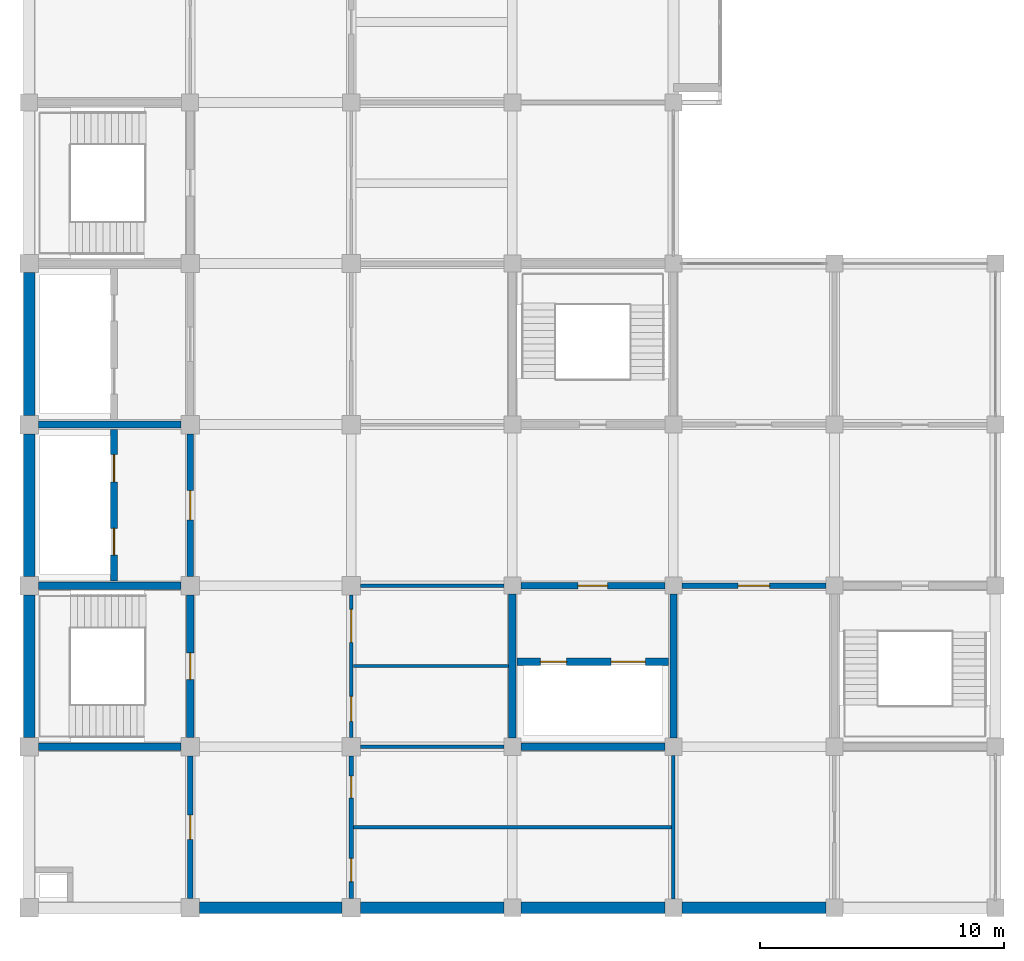
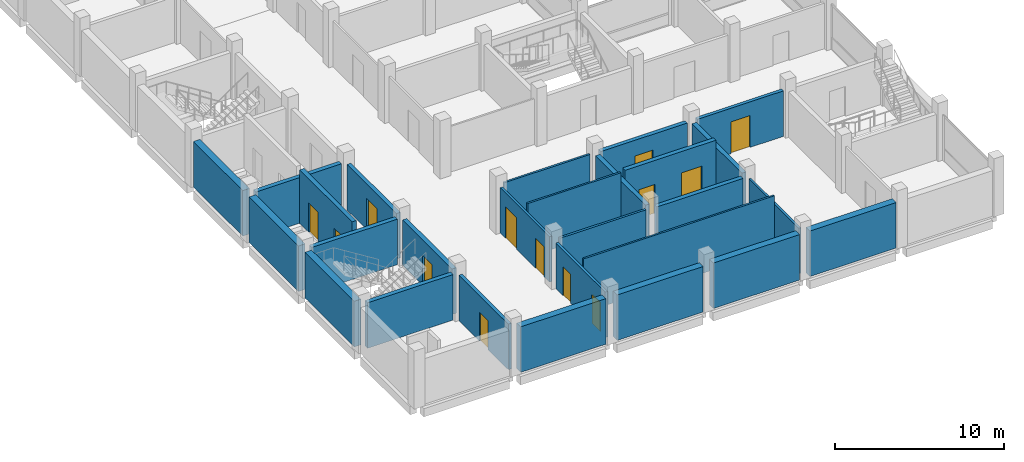
# One storey, part 7 of 10: 27 walls, 13 doors, 13 openings.
"""IFC4 building model written with IfcOpenShell, lengths in metres."""

from ifc_helpers import new_model, si_unit, direction, frame, frame_2d, origin, place, context, subcontext, project, spatial, rectangle, extrude, material, layer, layer_set, type_object, element, fill, save


model = new_model("IFC4")

# Units and contexts
model_context = context("Model", 3, precision=1e-05, world=origin(), true_north=direction((0.0, 1.0)))
body_context = subcontext(model_context, "Body", "Model", "MODEL_VIEW")
ifc_project = project(units=[si_unit("LENGTHUNIT", "METRE"), si_unit("AREAUNIT", "SQUARE_METRE"), si_unit("VOLUMEUNIT", "CUBIC_METRE"), si_unit("PLANEANGLEUNIT", "RADIAN"), si_unit("MASSUNIT", "GRAM", prefix="KILO")], contexts=[model_context])

# Site, building, storey
site_placement = place(None, origin())
site = spatial("IfcSite", under=ifc_project, at=site_placement, CompositionType="ELEMENT")
building_placement = place(site_placement, origin())
building = spatial("IfcBuilding", under=site, at=building_placement, Name="Rusizi Kubbe Research Institute", CompositionType="ELEMENT")
storey_placement = place(building_placement, frame((0.0, 0.0, 48.0)))
storey = spatial("IfcBuildingStorey", under=building, at=storey_placement, Name="L11", CompositionType="ELEMENT", Elevation=48.0)

# Walls
ifc_material_1 = material(Name="Concrete C40/50", Category="concrete")
ifc_layer_1 = layer(ifc_material_1, 0.294921875)
ifc_layer_set_1 = layer_set([ifc_layer_1], Name="Concrete C40/50")
wall_type_1 = type_object("IfcWallType", Name="CRW-03", PredefinedType="SHEAR", material=ifc_layer_set_1)
for number, where, z_axis, x_axis, name in (
    (1, (0.375, 6.60009765625, 0.0), (0.0, 0.0, 1.0), (1.0, 0.0, 0.0), "Stair Core Shear Wall ST1 L11 S"),
    (2, (0.375, 13.199951171875, 0.0), (0.0, 0.0, 1.0), (1.0, 0.0, 0.0), "Stair Core Shear Wall ST1 L11 N"),
):
    element("IfcWall", number, at=place(storey_placement, frame(where, z_axis=z_axis, x_axis=x_axis)), inside=storey, type_object=wall_type_1, Name=name, PredefinedType="SHEAR", context=body_context, shape_type="SweptSolid", body=[
        extrude(rectangle(XDim=5.85009765625, YDim=0.294921875, at=frame_2d((2.925048828125, 0.0))), origin(), (0.0, 0.0, 1.0), 3.2900390625),
    ])

# Wall, opening, door
wall_1_placement = place(storey_placement, frame((6.60009765625, 6.97509765625, 0.0), z_axis=(0.0, 0.0, 1.0), x_axis=(0.0, 1.0, 0.0)))
wall_1 = element("IfcWall", 3, at=wall_1_placement, inside=storey, type_object=wall_type_1, Name="Stair Core Shear Wall ST1 L11 E", PredefinedType="SHEAR", context=body_context, shape_type="SweptSolid", body=[
    extrude(rectangle(XDim=5.849853515625, YDim=0.294921875, at=frame_2d((2.9248046875, 0.0))), origin(), (0.0, 0.0, 1.0), 3.2900390625),
])
opening_1_placement = place(wall_1_placement, frame((2.375, 0.0, 0.0)))
opening_1 = element("IfcOpeningElement", 4, at=opening_1_placement, cuts=wall_1, Name="Opening D-01", PredefinedType="OPENING", context=body_context, shape_type="SweptSolid", body=[
    extrude(rectangle(XDim=1.10009765625, YDim=2.14990234375, at=frame_2d((0.550048828125, 1.074951171875))), frame((0.0, 0.157470703125, 0.0), z_axis=(0.0, -1.0, 0.0), x_axis=(1.0, 0.0, 0.0)), (0.0, 0.0, 1.0), 0.31494140625),
])
ifc_material_2 = material(Name="Fire-Rated Steel Frame and Acoustic Timber Leaf", Category="wood")
door_type_1 = type_object("IfcDoorType", Name="ID-STAIR-110", OperationType="NOTDEFINED", PredefinedType="DOOR", material=ifc_material_2)
door_1_placement = place(opening_1_placement, origin())
door_1 = element("IfcDoor", 5, at=door_1_placement, inside=storey, type_object=door_type_1, Name="Exit Stair Door ST1 L11", OperationType="SINGLE_SWING_LEFT", OverallHeight=2.14990234375, OverallWidth=1.10009765625, PredefinedType="DOOR", context=body_context, shape_type="SweptSolid", body=[
    extrude(rectangle(XDim=1.10009765625, YDim=2.14990234375, at=frame_2d((0.550048828125, 1.074951171875))), frame((0.0, 0.02490234375, 0.0), z_axis=(0.0, -1.0, 0.0), x_axis=(1.0, 0.0, 0.0)), (0.0, 0.0, 1.0), 0.050048828125),
])
fill(opening_1, door_1)

# Walls
wall_2_placement = place(storey_placement, frame((0.375, 19.800048828125, 0.0), z_axis=(0.0, 0.0, 1.0), x_axis=(1.0, 0.0, 0.0)))
element("IfcWall", 6, at=wall_2_placement, inside=storey, type_object=wall_type_1, Name="Lift Core Divider Wall (0,2-3) L11", PredefinedType="SHEAR", context=body_context, shape_type="SweptSolid", body=[
    extrude(rectangle(XDim=5.85009765625, YDim=0.294921875, at=frame_2d((2.925048828125, 0.0))), origin(), (0.0, 0.0, 1.0), 3.2900390625),
])
for number, where, z_axis, x_axis, name in (
    (7, (20.14990234375, 6.60009765625, 0.0), (0.0, 0.0, 1.0), (1.0, 0.0, 0.0), "Lab Lift Core Wall S (3,1) L11"),
    (8, (19.800048828125, 6.949951171875, 0.0), (0.0, 0.0, 1.0), (0.0, 1.0, 0.0), "Lab Lift Core Wall W (3,1) L11"),
    (9, (26.39990234375, 6.949951171875, 0.0), (0.0, 0.0, 1.0), (0.0, 1.0, 0.0), "Lab Lift Core Wall E (3,1) L11"),
):
    element("IfcWall", number, at=place(storey_placement, frame(where, z_axis=z_axis, x_axis=x_axis)), inside=storey, type_object=wall_type_1, Name=name, PredefinedType="SHEAR", context=body_context, shape_type="SweptSolid", body=[
        extrude(rectangle(XDim=5.900146484375, YDim=0.294921875, at=frame_2d((2.9501953125, 0.0))), origin(), (0.0, 0.0, 1.0), 3.2900390625),
    ])

# Wall, openings, doors
wall_3_placement = place(storey_placement, frame((3.47998046875, 13.39990234375, 0.0), z_axis=(0.0, 0.0, 1.0), x_axis=(0.0, 1.0, 0.0)))
wall_3 = element("IfcWall", 10, at=wall_3_placement, inside=storey, type_object=wall_type_1, Name="Firefighting Lift Shaft Front Wall L11", PredefinedType="SHEAR", context=body_context, shape_type="SweptSolid", body=[
    extrude(rectangle(XDim=6.2001953125, YDim=0.294921875, at=frame_2d((3.10009765625, 0.0))), origin(), (0.0, 0.0, 1.0), 3.889892578125),
])
opening_2_placement = place(wall_3_placement, frame((1.050048828125, 0.0, 0.0)))
opening_2 = element("IfcOpeningElement", 11, at=opening_2_placement, cuts=wall_3, Name="Opening LD-01", PredefinedType="OPENING", context=body_context, shape_type="SweptSolid", body=[
    extrude(rectangle(XDim=1.10009765625, YDim=2.14990234375, at=frame_2d((0.550048828125, 1.074951171875))), frame((0.0, 0.157470703125, 0.0), z_axis=(0.0, -1.0, 0.0), x_axis=(1.0, 0.0, 0.0)), (0.0, 0.0, 1.0), 0.31494140625),
])
opening_3_placement = place(wall_3_placement, frame((4.050048828125, 0.0, 0.0)))
opening_3 = element("IfcOpeningElement", 12, at=opening_3_placement, cuts=wall_3, Name="Opening LD-02", PredefinedType="OPENING", context=body_context, shape_type="SweptSolid", body=[
    extrude(rectangle(XDim=1.1201171875, YDim=2.14990234375, at=frame_2d((0.56005859375, 1.074951171875))), frame((0.0, 0.157470703125, 0.0), z_axis=(0.0, -1.0, 0.0), x_axis=(1.0, 0.0, 0.0)), (0.0, 0.0, 1.0), 0.31494140625),
])
ifc_material_3 = material(Name="Brushed Stainless Steel Sliding Door", Category="steel")
door_type_2 = type_object("IfcDoorType", Name="LD-01", OperationType="DOUBLE_DOOR_SLIDING", PredefinedType="USERDEFINED", material=ifc_material_3)
door_2_placement = place(opening_2_placement, origin())
door_2 = element("IfcDoor", 13, at=door_2_placement, inside=storey, type_object=door_type_2, Name="Lift Landing Sliding Door FL1 L11", ObjectType="SLIDING DOOR", OperationType="DOUBLE_DOOR_SLIDING", OverallHeight=2.14990234375, OverallWidth=1.10009765625, PredefinedType="USERDEFINED", context=body_context, shape_type="SweptSolid", body=[
    extrude(rectangle(XDim=1.10009765625, YDim=2.14990234375, at=frame_2d((0.550048828125, 1.074951171875))), frame((0.0, 0.02490234375, 0.0), z_axis=(0.0, -1.0, 0.0), x_axis=(1.0, 0.0, 0.0)), (0.0, 0.0, 1.0), 0.050048828125),
])
fill(opening_2, door_2)
ifc_material_4 = material(Name="Brushed Stainless Steel Sliding Door", Category="steel")
door_type_3 = type_object("IfcDoorType", Name="LD-02", OperationType="DOUBLE_DOOR_SLIDING", PredefinedType="USERDEFINED", material=ifc_material_4)
door_3_placement = place(opening_3_placement, origin())
door_3 = element("IfcDoor", 14, at=door_3_placement, inside=storey, type_object=door_type_3, Name="Lift Landing Sliding Door FL2 L11", ObjectType="SLIDING DOOR", OperationType="DOUBLE_DOOR_SLIDING", OverallHeight=2.14990234375, OverallWidth=1.1201171875, PredefinedType="USERDEFINED", context=body_context, shape_type="SweptSolid", body=[
    extrude(rectangle(XDim=1.1201171875, YDim=2.14990234375, at=frame_2d((0.56005859375, 1.074951171875))), frame((0.0, 0.02490234375, 0.0), z_axis=(0.0, -1.0, 0.0), x_axis=(1.0, 0.0, 0.0)), (0.0, 0.0, 1.0), 0.050048828125),
])
fill(opening_3, door_3)

wall_4_placement = place(storey_placement, frame((20.0, 10.080078125, 0.0), z_axis=(0.0, 0.0, 1.0), x_axis=(1.0, 0.0, 0.0)))
wall_4 = element("IfcWall", 15, at=wall_4_placement, inside=storey, type_object=wall_type_1, Name="Goods Lift Shaft Front Wall L11", PredefinedType="SHEAR", context=body_context, shape_type="SweptSolid", body=[
    extrude(rectangle(XDim=6.199951171875, YDim=0.294921875, at=frame_2d((3.10009765625, 0.0))), origin(), (0.0, 0.0, 1.0), 3.889892578125),
])
opening_4_placement = place(wall_4_placement, frame((0.949951171875, 0.0, 0.0)))
opening_4 = element("IfcOpeningElement", 16, at=opening_4_placement, cuts=wall_4, Name="Opening LD-05", PredefinedType="OPENING", context=body_context, shape_type="SweptSolid", body=[
    extrude(rectangle(XDim=1.080078125, YDim=2.14990234375, at=frame_2d((0.5400390625, 1.074951171875))), frame((0.0, 0.157470703125, 0.0), z_axis=(0.0, -1.0, 0.0), x_axis=(1.0, 0.0, 0.0)), (0.0, 0.0, 1.0), 0.31494140625),
])
opening_5_placement = place(wall_4_placement, frame((3.85009765625, 0.0, 0.0)))
opening_5 = element("IfcOpeningElement", 17, at=opening_5_placement, cuts=wall_4, Name="Opening LD-06", PredefinedType="OPENING", context=body_context, shape_type="SweptSolid", body=[
    extrude(rectangle(XDim=1.39990234375, YDim=2.35009765625, at=frame_2d((0.699951171875, 1.175048828125))), frame((0.0, 0.157470703125, 0.0), z_axis=(0.0, -1.0, 0.0), x_axis=(1.0, 0.0, 0.0)), (0.0, 0.0, 1.0), 0.31494140625),
])
ifc_material_5 = material(Name="Brushed Stainless Steel Sliding Door", Category="steel")
door_type_4 = type_object("IfcDoorType", Name="LD-05", OperationType="DOUBLE_DOOR_SLIDING", PredefinedType="USERDEFINED", material=ifc_material_5)
door_4_placement = place(opening_4_placement, origin())
door_4 = element("IfcDoor", 18, at=door_4_placement, inside=storey, type_object=door_type_4, Name="Lift Landing Sliding Door LP3 L11", ObjectType="SLIDING DOOR", OperationType="DOUBLE_DOOR_SLIDING", OverallHeight=2.14990234375, OverallWidth=1.080078125, PredefinedType="USERDEFINED", context=body_context, shape_type="SweptSolid", body=[
    extrude(rectangle(XDim=1.080078125, YDim=2.14990234375, at=frame_2d((0.5400390625, 1.074951171875))), frame((0.0, 0.02490234375, 0.0), z_axis=(0.0, -1.0, 0.0), x_axis=(1.0, 0.0, 0.0)), (0.0, 0.0, 1.0), 0.050048828125),
])
fill(opening_4, door_4)
ifc_material_6 = material(Name="Brushed Stainless Steel Sliding Door", Category="steel")
door_type_5 = type_object("IfcDoorType", Name="LD-06", OperationType="DOUBLE_DOOR_SLIDING", PredefinedType="USERDEFINED", material=ifc_material_6)
door_5_placement = place(opening_5_placement, origin())
door_5 = element("IfcDoor", 19, at=door_5_placement, inside=storey, type_object=door_type_5, Name="Lift Landing Sliding Door LG1 L11", ObjectType="SLIDING DOOR", OperationType="DOUBLE_DOOR_SLIDING", OverallHeight=2.35009765625, OverallWidth=1.39990234375, PredefinedType="USERDEFINED", context=body_context, shape_type="SweptSolid", body=[
    extrude(rectangle(XDim=1.39990234375, YDim=2.35009765625, at=frame_2d((0.699951171875, 1.175048828125))), frame((0.0, 0.02490234375, 0.0), z_axis=(0.0, -1.0, 0.0), x_axis=(1.0, 0.0, 0.0)), (0.0, 0.0, 1.0), 0.050048828125),
])
fill(opening_5, door_5)

# Wall, opening, door
ifc_material_7 = material(Name="Concrete Blockwork Fire Partition", Category="masonry")
ifc_layer_2 = layer(ifc_material_7, 0.22509765625)
ifc_layer_set_2 = layer_set([ifc_layer_2], Name="Concrete Blockwork Fire Partition")
wall_type_2 = type_object("IfcWallType", Name="IW-01", PredefinedType="PARTITIONING", material=ifc_layer_set_2)
wall_5_placement = place(storey_placement, frame((6.60009765625, 0.375, 0.0), z_axis=(0.0, 0.0, 1.0), x_axis=(0.0, 1.0, 0.0)))
wall_5 = element("IfcWall", 20, at=wall_5_placement, inside=storey, type_object=wall_type_2, Name="Interior Partition Wall L11 V1-0", PredefinedType="PARTITIONING", context=body_context, shape_type="SweptSolid", body=[
    extrude(rectangle(XDim=5.85009765625, YDim=0.22509765625, at=frame_2d((2.925048828125, 0.0))), origin(), (0.0, 0.0, 1.0), 3.2900390625),
])
opening_6_placement = place(wall_5_placement, frame((2.425048828125, 0.0, 0.0)))
opening_6 = element("IfcOpeningElement", 21, at=opening_6_placement, cuts=wall_5, Name="Opening D-04", PredefinedType="OPENING", context=body_context, shape_type="SweptSolid", body=[
    extrude(rectangle(XDim=1.0, YDim=2.10009765625, at=frame_2d((0.5, 1.050048828125))), frame((0.0, 0.12255859375, 0.0), z_axis=(0.0, -1.0, 0.0), x_axis=(1.0, 0.0, 0.0)), (0.0, 0.0, 1.0), 0.2451171875),
])
ifc_material_8 = material(Name="Fire-Rated Steel Frame and Acoustic Timber Leaf", Category="wood")
door_type_6 = type_object("IfcDoorType", Name="ID-MEP-100", OperationType="NOTDEFINED", PredefinedType="DOOR", material=ifc_material_8)
door_6_placement = place(opening_6_placement, origin())
door_6 = element("IfcDoor", 22, at=door_6_placement, inside=storey, type_object=door_type_6, Name="Door to Service Spine Utility Riser Room (L11-MEP-01)", OperationType="SINGLE_SWING_RIGHT", OverallHeight=2.10009765625, OverallWidth=1.0, PredefinedType="DOOR", context=body_context, shape_type="SweptSolid", body=[
    extrude(rectangle(XDim=1.0, YDim=2.10009765625, at=frame_2d((0.5, 1.050048828125))), frame((0.0, 0.02490234375, 0.0), z_axis=(0.0, -1.0, 0.0), x_axis=(1.0, 0.0, 0.0)), (0.0, 0.0, 1.0), 0.050048828125),
])
fill(opening_6, door_6)

wall_6_placement = place(storey_placement, frame((26.75, 13.199951171875, 0.0), z_axis=(0.0, 0.0, 1.0), x_axis=(1.0, 0.0, 0.0)))
wall_6 = element("IfcWall", 23, at=wall_6_placement, inside=storey, type_object=wall_type_2, Name="Interior Partition Wall L11 H4-2", PredefinedType="PARTITIONING", context=body_context, shape_type="SweptSolid", body=[
    extrude(rectangle(XDim=5.89990234375, YDim=0.22509765625, at=frame_2d((2.949951171875, 0.0))), origin(), (0.0, 0.0, 1.0), 3.2900390625),
])
opening_7_placement = place(wall_6_placement, frame((2.300048828125, 0.0, 0.0)))
opening_7 = element("IfcOpeningElement", 24, at=opening_7_placement, cuts=wall_6, Name="Opening D-14", PredefinedType="OPENING", context=body_context, shape_type="SweptSolid", body=[
    extrude(rectangle(XDim=1.300048828125, YDim=2.300048828125, at=frame_2d((0.64990234375, 1.14990234375))), frame((0.0, 0.12255859375, 0.0), z_axis=(0.0, -1.0, 0.0), x_axis=(1.0, 0.0, 0.0)), (0.0, 0.0, 1.0), 0.2451171875),
])
ifc_material_9 = material(Name="Fire-Rated Steel Frame and Acoustic Timber Leaf", Category="wood")
door_type_7 = type_object("IfcDoorType", Name="ID-LAB-130", OperationType="NOTDEFINED", PredefinedType="DOOR", material=ifc_material_9)
door_7_placement = place(opening_7_placement, origin())
door_7 = element("IfcDoor", 25, at=door_7_placement, inside=storey, type_object=door_type_7, Name="Door to Clean Room Process Suite (L11-EWS-01)", OperationType="SINGLE_SWING_RIGHT", OverallHeight=2.300048828125, OverallWidth=1.300048828125, PredefinedType="DOOR", context=body_context, shape_type="SweptSolid", body=[
    extrude(rectangle(XDim=1.300048828125, YDim=2.300048828125, at=frame_2d((0.64990234375, 1.14990234375))), frame((0.0, 0.02490234375, 0.0), z_axis=(0.0, -1.0, 0.0), x_axis=(1.0, 0.0, 0.0)), (0.0, 0.0, 1.0), 0.050048828125),
])
fill(opening_7, door_7)

# Wall, openings, doors
ifc_material_10 = material(Name="Acoustic Laboratory Partition", Category="masonry")
ifc_layer_3 = layer(ifc_material_10, 0.175048828125)
ifc_layer_set_3 = layer_set([ifc_layer_3], Name="Acoustic Laboratory Partition")
wall_type_3 = type_object("IfcWallType", Name="IW-03", PredefinedType="PARTITIONING", material=ifc_layer_set_3)
wall_7_placement = place(storey_placement, frame((13.199951171875, 0.375, 0.0), z_axis=(0.0, 0.0, 1.0), x_axis=(0.0, 1.0, 0.0)))
wall_7 = element("IfcWall", 26, at=wall_7_placement, inside=storey, type_object=wall_type_3, Name="Sanitary Core West Corridor Wall L11", PredefinedType="PARTITIONING", context=body_context, shape_type="SweptSolid", body=[
    extrude(rectangle(XDim=5.85009765625, YDim=0.175048828125, at=frame_2d((2.925048828125, 0.0))), origin(), (0.0, 0.0, 1.0), 3.2900390625),
])
opening_8_placement = place(wall_7_placement, frame((0.699951171875, 0.0, 0.0)))
opening_8 = element("IfcOpeningElement", 27, at=opening_8_placement, cuts=wall_7, Name="Opening D-06", PredefinedType="OPENING", context=body_context, shape_type="SweptSolid", body=[
    extrude(rectangle(XDim=0.949951171875, YDim=2.10009765625, at=frame_2d((0.47509765625, 1.050048828125))), frame((0.0, 0.097412109375, 0.0), z_axis=(0.0, -1.0, 0.0), x_axis=(1.0, 0.0, 0.0)), (0.0, 0.0, 1.0), 0.195068359375),
])
opening_9_placement = place(wall_7_placement, frame((4.125, 0.0, 0.0)))
opening_9 = element("IfcOpeningElement", 28, at=opening_9_placement, cuts=wall_7, Name="Opening D-05", PredefinedType="OPENING", context=body_context, shape_type="SweptSolid", body=[
    extrude(rectangle(XDim=0.89990234375, YDim=2.10009765625, at=frame_2d((0.449951171875, 1.050048828125))), frame((0.0, 0.097412109375, 0.0), z_axis=(0.0, -1.0, 0.0), x_axis=(1.0, 0.0, 0.0)), (0.0, 0.0, 1.0), 0.195068359375),
])
ifc_material_11 = material(Name="Fire-Rated Steel Frame and Acoustic Timber Leaf", Category="wood")
door_type_8 = type_object("IfcDoorType", Name="ID-WC-900", OperationType="NOTDEFINED", PredefinedType="DOOR", material=ifc_material_11)
door_8_placement = place(opening_9_placement, origin())
door_8 = element("IfcDoor", 29, at=door_8_placement, inside=storey, type_object=door_type_8, Name="Door to Female Toilet Room (L11-WC-F)", OperationType="SINGLE_SWING_LEFT", OverallHeight=2.10009765625, OverallWidth=0.89990234375, PredefinedType="DOOR", context=body_context, shape_type="SweptSolid", body=[
    extrude(rectangle(XDim=0.89990234375, YDim=2.10009765625, at=frame_2d((0.449951171875, 1.050048828125))), frame((0.0, 0.02490234375, 0.0), z_axis=(0.0, -1.0, 0.0), x_axis=(1.0, 0.0, 0.0)), (0.0, 0.0, 1.0), 0.050048828125),
])
fill(opening_9, door_8)
ifc_material_12 = material(Name="Fire-Rated Steel Frame and Acoustic Timber Leaf", Category="wood")
door_type_9 = type_object("IfcDoorType", Name="ID-WC-950", OperationType="NOTDEFINED", PredefinedType="DOOR", material=ifc_material_12)
door_9_placement = place(opening_8_placement, origin())
door_9 = element("IfcDoor", 30, at=door_9_placement, inside=storey, type_object=door_type_9, Name="Door to Male Toilet Room (L11-WC-M)", OperationType="SINGLE_SWING_RIGHT", OverallHeight=2.10009765625, OverallWidth=0.949951171875, PredefinedType="DOOR", context=body_context, shape_type="SweptSolid", body=[
    extrude(rectangle(XDim=0.949951171875, YDim=2.10009765625, at=frame_2d((0.47509765625, 1.050048828125))), frame((0.0, 0.02490234375, 0.0), z_axis=(0.0, -1.0, 0.0), x_axis=(1.0, 0.0, 0.0)), (0.0, 0.0, 1.0), 0.050048828125),
])
fill(opening_8, door_9)

# Wall
ifc_material_13 = material(Name="Fire-Rated Corridor Partition", Category="masonry")
ifc_layer_4 = layer(ifc_material_13, 0.155029296875)
ifc_layer_set_4 = layer_set([ifc_layer_4], Name="Fire-Rated Corridor Partition")
wall_type_4 = type_object("IfcWallType", Name="IW-04", PredefinedType="PARTITIONING", material=ifc_layer_set_4)
wall_8_placement = place(storey_placement, frame((13.574951171875, 6.60009765625, 0.0), z_axis=(0.0, 0.0, 1.0), x_axis=(1.0, 0.0, 0.0)))
element("IfcWall", 31, at=wall_8_placement, inside=storey, type_object=wall_type_4, Name="Sanitary Core North Divider Wall L11", PredefinedType="PARTITIONING", context=body_context, shape_type="SweptSolid", body=[
    extrude(rectangle(XDim=5.875, YDim=0.155029296875, at=frame_2d((2.9375, 0.0))), origin(), (0.0, 0.0, 1.0), 3.2900390625),
])

# Wall, openings, doors
wall_9_placement = place(storey_placement, frame((13.199951171875, 6.97509765625, 0.0), z_axis=(0.0, 0.0, 1.0), x_axis=(0.0, 1.0, 0.0)))
wall_9 = element("IfcWall", 32, at=wall_9_placement, inside=storey, type_object=wall_type_4, Name="Accessible WC and Store West Wall L11", PredefinedType="PARTITIONING", context=body_context, shape_type="SweptSolid", body=[
    extrude(rectangle(XDim=5.849853515625, YDim=0.155029296875, at=frame_2d((2.9248046875, 0.0))), origin(), (0.0, 0.0, 1.0), 3.2900390625),
])
opening_10_placement = place(wall_9_placement, frame((0.6650390625, 0.0, 0.0)))
opening_10 = element("IfcOpeningElement", 33, at=opening_10_placement, cuts=wall_9, Name="Opening D-07", PredefinedType="OPENING", context=body_context, shape_type="SweptSolid", body=[
    extrude(rectangle(XDim=1.02001953125, YDim=2.14990234375, at=frame_2d((0.510009765625, 1.074951171875))), frame((0.0, 0.08740234375, 0.0), z_axis=(0.0, -1.0, 0.0), x_axis=(1.0, 0.0, 0.0)), (0.0, 0.0, 1.0), 0.175048828125),
])
opening_11_placement = place(wall_9_placement, frame((3.89990234375, 0.0, 0.0)))
opening_11 = element("IfcOpeningElement", 34, at=opening_11_placement, cuts=wall_9, Name="Opening D-13", PredefinedType="OPENING", context=body_context, shape_type="SweptSolid", body=[
    extrude(rectangle(XDim=1.35009765625, YDim=2.300048828125, at=frame_2d((0.675048828125, 1.14990234375))), frame((0.0, 0.08740234375, 0.0), z_axis=(0.0, -1.0, 0.0), x_axis=(1.0, 0.0, 0.0)), (0.0, 0.0, 1.0), 0.175048828125),
])
ifc_material_14 = material(Name="Fire-Rated Steel Frame and Acoustic Timber Leaf", Category="wood")
door_type_10 = type_object("IfcDoorType", Name="ID-LAB-135", OperationType="NOTDEFINED", PredefinedType="DOOR", material=ifc_material_14)
door_10_placement = place(opening_11_placement, origin())
door_10 = element("IfcDoor", 35, at=door_10_placement, inside=storey, type_object=door_type_10, Name="Door to Laboratory Reagent Store (L11-STR-01)", OperationType="SINGLE_SWING_LEFT", OverallHeight=2.300048828125, OverallWidth=1.35009765625, PredefinedType="DOOR", context=body_context, shape_type="SweptSolid", body=[
    extrude(rectangle(XDim=1.35009765625, YDim=2.300048828125, at=frame_2d((0.675048828125, 1.14990234375))), frame((0.0, 0.02490234375, 0.0), z_axis=(0.0, -1.0, 0.0), x_axis=(1.0, 0.0, 0.0)), (0.0, 0.0, 1.0), 0.050048828125),
])
fill(opening_11, door_10)
ifc_material_15 = material(Name="Fire-Rated Steel Frame and Acoustic Timber Leaf", Category="wood")
door_type_11 = type_object("IfcDoorType", Name="ID-WC-ACC", OperationType="NOTDEFINED", PredefinedType="DOOR", material=ifc_material_15)
door_11_placement = place(opening_10_placement, origin())
door_11 = element("IfcDoor", 36, at=door_11_placement, inside=storey, type_object=door_type_11, Name="Door to Accessible Toilet Room (L11-WC-ACC)", OperationType="SINGLE_SWING_LEFT", OverallHeight=2.14990234375, OverallWidth=1.02001953125, PredefinedType="DOOR", context=body_context, shape_type="SweptSolid", body=[
    extrude(rectangle(XDim=1.02001953125, YDim=2.14990234375, at=frame_2d((0.510009765625, 1.074951171875))), frame((0.0, 0.02490234375, 0.0), z_axis=(0.0, -1.0, 0.0), x_axis=(1.0, 0.0, 0.0)), (0.0, 0.0, 1.0), 0.050048828125),
])
fill(opening_10, door_11)

# Walls
ifc_material_16 = material(Name="Write-up Glazed Acoustic Partition", Category="masonry")
ifc_layer_5 = layer(ifc_material_16, 0.139892578125)
ifc_layer_set_5 = layer_set([ifc_layer_5], Name="Write-up Glazed Acoustic Partition")
wall_type_5 = type_object("IfcWallType", Name="IW-05", PredefinedType="PARTITIONING", material=ifc_layer_set_5)
wall_10_placement = place(storey_placement, frame((26.39990234375, 0.35009765625, 0.0), z_axis=(0.0, 0.0, 1.0), x_axis=(0.0, 1.0, 0.0)))
element("IfcWall", 37, at=wall_10_placement, inside=storey, type_object=wall_type_5, Name="Sanitary Core East Enclosing Wall L11", PredefinedType="PARTITIONING", context=body_context, shape_type="SweptSolid", body=[
    extrude(rectangle(XDim=5.89990234375, YDim=0.139892578125, at=frame_2d((2.949951171875, 0.0))), origin(), (0.0, 0.0, 1.0), 3.2900390625),
])
wall_11_placement = place(storey_placement, frame((13.574951171875, 13.199951171875, 0.0), z_axis=(0.0, 0.0, 1.0), x_axis=(1.0, 0.0, 0.0)))
element("IfcWall", 38, at=wall_11_placement, inside=storey, type_object=wall_type_5, Name="Reagent Store North Corridor Wall L11", PredefinedType="PARTITIONING", context=body_context, shape_type="SweptSolid", body=[
    extrude(rectangle(XDim=5.875, YDim=0.139892578125, at=frame_2d((2.9375, 0.0))), origin(), (0.0, 0.0, 1.0), 3.2900390625),
])
ifc_material_17 = material(Name="Sanitary Wet-Wall Partition", Category="masonry")
ifc_layer_6 = layer(ifc_material_17, 0.125)
ifc_layer_set_6 = layer_set([ifc_layer_6], Name="Sanitary Wet-Wall Partition")
wall_type_6 = type_object("IfcWallType", Name="IW-06", PredefinedType="PARTITIONING", material=ifc_layer_set_6)
wall_12_placement = place(storey_placement, frame((13.29248046875, 3.300048828125, 0.0), z_axis=(0.0, 0.0, 1.0), x_axis=(1.0, 0.0, 0.0)))
element("IfcWall", 39, at=wall_12_placement, inside=storey, type_object=wall_type_6, Name="Sanitary Divider Wall L11-1", PredefinedType="PARTITIONING", context=body_context, shape_type="SweptSolid", body=[
    extrude(rectangle(XDim=13.032470703125, YDim=0.125, at=frame_2d((6.51611328125, 0.0))), origin(), (0.0, 0.0, 1.0), 3.889892578125),
])
wall_13_placement = place(storey_placement, frame((13.282470703125, 9.89990234375, 0.0), z_axis=(0.0, 0.0, 1.0), x_axis=(1.0, 0.0, 0.0)))
element("IfcWall", 40, at=wall_13_placement, inside=storey, type_object=wall_type_6, Name="Sanitary Divider Wall L11-2", PredefinedType="PARTITIONING", context=body_context, shape_type="SweptSolid", body=[
    extrude(rectangle(XDim=6.364990234375, YDim=0.125, at=frame_2d((3.1826171875, 0.0))), origin(), (0.0, 0.0, 1.0), 3.889892578125),
])
ifc_material_18 = material(Name="Concrete C40/50", Category="concrete")
ifc_layer_7 = layer(ifc_material_18, 0.4599609375)
ifc_layer_set_7 = layer_set([ifc_layer_7], Name="Concrete C40/50")
wall_type_7 = type_object("IfcWallType", Name="PW-02", PredefinedType="SOLIDWALL", material=ifc_layer_set_7)
wall_14_placement = place(storey_placement, frame((0.0, 6.97509765625, 0.0), z_axis=(0.0, 0.0, 1.0), x_axis=(0.0, 1.0, 0.0)))
element("IfcWall", 41, at=wall_14_placement, inside=storey, type_object=wall_type_7, Name="Blind Party Wall L11 V0-1", PredefinedType="SOLIDWALL", context=body_context, shape_type="SweptSolid", body=[
    extrude(rectangle(XDim=5.849853515625, YDim=0.4599609375, at=frame_2d((2.9248046875, 0.0))), origin(), (0.0, 0.0, 1.0), 3.2900390625),
])
wall_15_placement = place(storey_placement, frame((0.0, 13.574951171875, 0.0), z_axis=(0.0, 0.0, 1.0), x_axis=(0.0, 1.0, 0.0)))
element("IfcWall", 42, at=wall_15_placement, inside=storey, type_object=wall_type_7, Name="Blind Party Wall L11 V0-2", PredefinedType="SOLIDWALL", context=body_context, shape_type="SweptSolid", body=[
    extrude(rectangle(XDim=5.85009765625, YDim=0.4599609375, at=frame_2d((2.925048828125, 0.0))), origin(), (0.0, 0.0, 1.0), 3.2900390625),
])
for number, where, z_axis, x_axis, name in (
    (43, (0.0, 20.175048828125, 0.0), (0.0, 0.0, 1.0), (0.0, 1.0, 0.0), "Blind Party Wall L11 V0-3"),
    (44, (6.97509765625, 0.0, 0.0), (0.0, 0.0, 1.0), (1.0, 0.0, 0.0), "Blind Party Wall L11 H1-0"),
):
    element("IfcWall", number, at=place(storey_placement, frame(where, z_axis=z_axis, x_axis=x_axis)), inside=storey, type_object=wall_type_7, Name=name, PredefinedType="SOLIDWALL", context=body_context, shape_type="SweptSolid", body=[
        extrude(rectangle(XDim=5.849853515625, YDim=0.4599609375, at=frame_2d((2.9248046875, 0.0))), origin(), (0.0, 0.0, 1.0), 3.2900390625),
    ])
wall_16_placement = place(storey_placement, frame((13.574951171875, 0.0, 0.0), z_axis=(0.0, 0.0, 1.0), x_axis=(1.0, 0.0, 0.0)))
element("IfcWall", 45, at=wall_16_placement, inside=storey, type_object=wall_type_7, Name="Blind Party Wall L11 H2-0", PredefinedType="SOLIDWALL", context=body_context, shape_type="SweptSolid", body=[
    extrude(rectangle(XDim=5.875, YDim=0.4599609375, at=frame_2d((2.9375, 0.0))), origin(), (0.0, 0.0, 1.0), 3.2900390625),
])
wall_17_placement = place(storey_placement, frame((20.14990234375, 0.0, 0.0), z_axis=(0.0, 0.0, 1.0), x_axis=(1.0, 0.0, 0.0)))
element("IfcWall", 46, at=wall_17_placement, inside=storey, type_object=wall_type_7, Name="Blind Party Wall L11 H3-0", PredefinedType="SOLIDWALL", context=body_context, shape_type="SweptSolid", body=[
    extrude(rectangle(XDim=5.900146484375, YDim=0.4599609375, at=frame_2d((2.9501953125, 0.0))), origin(), (0.0, 0.0, 1.0), 3.2900390625),
])
wall_18_placement = place(storey_placement, frame((26.75, 0.0, 0.0), z_axis=(0.0, 0.0, 1.0), x_axis=(1.0, 0.0, 0.0)))
element("IfcWall", 47, at=wall_18_placement, inside=storey, type_object=wall_type_7, Name="Blind Party Wall L11 H4-0", PredefinedType="SOLIDWALL", context=body_context, shape_type="SweptSolid", body=[
    extrude(rectangle(XDim=5.89990234375, YDim=0.4599609375, at=frame_2d((2.949951171875, 0.0))), origin(), (0.0, 0.0, 1.0), 3.2900390625),
])

# Wall, opening, door
ifc_material_19 = material(Name="Concrete C40/50", Category="concrete")
ifc_layer_8 = layer(ifc_material_19, 0.27490234375)
ifc_layer_set_8 = layer_set([ifc_layer_8], Name="Concrete C40/50")
wall_type_8 = type_object("IfcWallType", Name="SHW-01", PredefinedType="SHEAR", material=ifc_layer_set_8)
wall_19_placement = place(storey_placement, frame((6.60009765625, 13.574951171875, 0.0), z_axis=(0.0, 0.0, 1.0), x_axis=(0.0, 1.0, 0.0)))
wall_19 = element("IfcWall", 48, at=wall_19_placement, inside=storey, type_object=wall_type_8, Name="Firefighting Lobby Wall L11", PredefinedType="SHEAR", context=body_context, shape_type="SweptSolid", body=[
    extrude(rectangle(XDim=5.85009765625, YDim=0.27490234375, at=frame_2d((2.925048828125, 0.0))), origin(), (0.0, 0.0, 1.0), 3.2900390625),
])
opening_12_placement = place(wall_19_placement, frame((2.324951171875, 0.0, 0.0)))
opening_12 = element("IfcOpeningElement", 49, at=opening_12_placement, cuts=wall_19, Name="Opening D-03", PredefinedType="OPENING", context=body_context, shape_type="SweptSolid", body=[
    extrude(rectangle(XDim=1.199951171875, YDim=2.25, at=frame_2d((0.60009765625, 1.125))), frame((0.0, 0.1474609375, 0.0), z_axis=(0.0, -1.0, 0.0), x_axis=(1.0, 0.0, 0.0)), (0.0, 0.0, 1.0), 0.294921875),
])
ifc_material_20 = material(Name="Fire-Rated Steel Frame and Acoustic Timber Leaf", Category="wood")
door_type_12 = type_object("IfcDoorType", Name="ID-FF-120", OperationType="NOTDEFINED", PredefinedType="DOOR", material=ifc_material_20)
door_12_placement = place(opening_12_placement, origin())
door_12 = element("IfcDoor", 50, at=door_12_placement, inside=storey, type_object=door_type_12, Name="Door to Firefighting Lift Lobby (L11-FFL-01)", OperationType="SINGLE_SWING_LEFT", OverallHeight=2.25, OverallWidth=1.199951171875, PredefinedType="DOOR", context=body_context, shape_type="SweptSolid", body=[
    extrude(rectangle(XDim=1.199951171875, YDim=2.25, at=frame_2d((0.60009765625, 1.125))), frame((0.0, 0.02490234375, 0.0), z_axis=(0.0, -1.0, 0.0), x_axis=(1.0, 0.0, 0.0)), (0.0, 0.0, 1.0), 0.050048828125),
])
fill(opening_12, door_12)

wall_20_placement = place(storey_placement, frame((20.14990234375, 13.199951171875, 0.0), z_axis=(0.0, 0.0, 1.0), x_axis=(1.0, 0.0, 0.0)))
wall_20 = element("IfcWall", 51, at=wall_20_placement, inside=storey, type_object=wall_type_8, Name="Goods Lift Lobby Wall L11", PredefinedType="SHEAR", context=body_context, shape_type="SweptSolid", body=[
    extrude(rectangle(XDim=5.900146484375, YDim=0.27490234375, at=frame_2d((2.9501953125, 0.0))), origin(), (0.0, 0.0, 1.0), 3.2900390625),
])
opening_13_placement = place(wall_20_placement, frame((2.340087890625, 0.0, 0.0)))
opening_13 = element("IfcOpeningElement", 52, at=opening_13_placement, cuts=wall_20, Name="Opening D-21", PredefinedType="OPENING", context=body_context, shape_type="SweptSolid", body=[
    extrude(rectangle(XDim=1.219970703125, YDim=2.14990234375, at=frame_2d((0.60986328125, 1.074951171875))), frame((0.0, 0.1474609375, 0.0), z_axis=(0.0, -1.0, 0.0), x_axis=(1.0, 0.0, 0.0)), (0.0, 0.0, 1.0), 0.294921875),
])
ifc_material_21 = material(Name="Fire-Rated Steel Frame and Acoustic Timber Leaf", Category="wood")
door_type_13 = type_object("IfcDoorType", Name="ID-STR-122", OperationType="NOTDEFINED", PredefinedType="DOOR", material=ifc_material_21)
door_13_placement = place(opening_13_placement, origin())
door_13 = element("IfcDoor", 53, at=door_13_placement, inside=storey, type_object=door_type_13, Name="Door to Laboratory Goods Lift Lobby (L11-GLB-01)", OperationType="SINGLE_SWING_RIGHT", OverallHeight=2.14990234375, OverallWidth=1.219970703125, PredefinedType="DOOR", context=body_context, shape_type="SweptSolid", body=[
    extrude(rectangle(XDim=1.219970703125, YDim=2.14990234375, at=frame_2d((0.60986328125, 1.074951171875))), frame((0.0, 0.02490234375, 0.0), z_axis=(0.0, -1.0, 0.0), x_axis=(1.0, 0.0, 0.0)), (0.0, 0.0, 1.0), 0.050048828125),
])
fill(opening_13, door_13)

save(model, "model.ifc")
